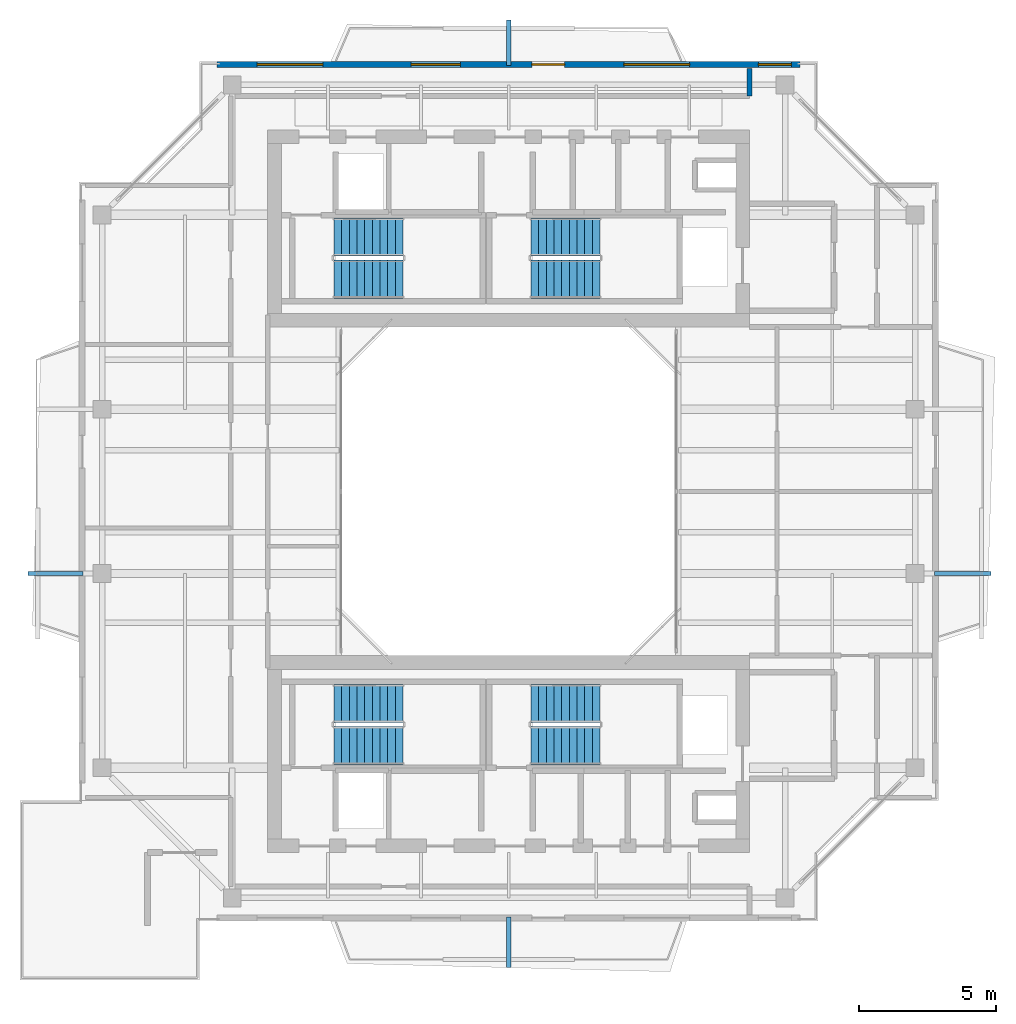
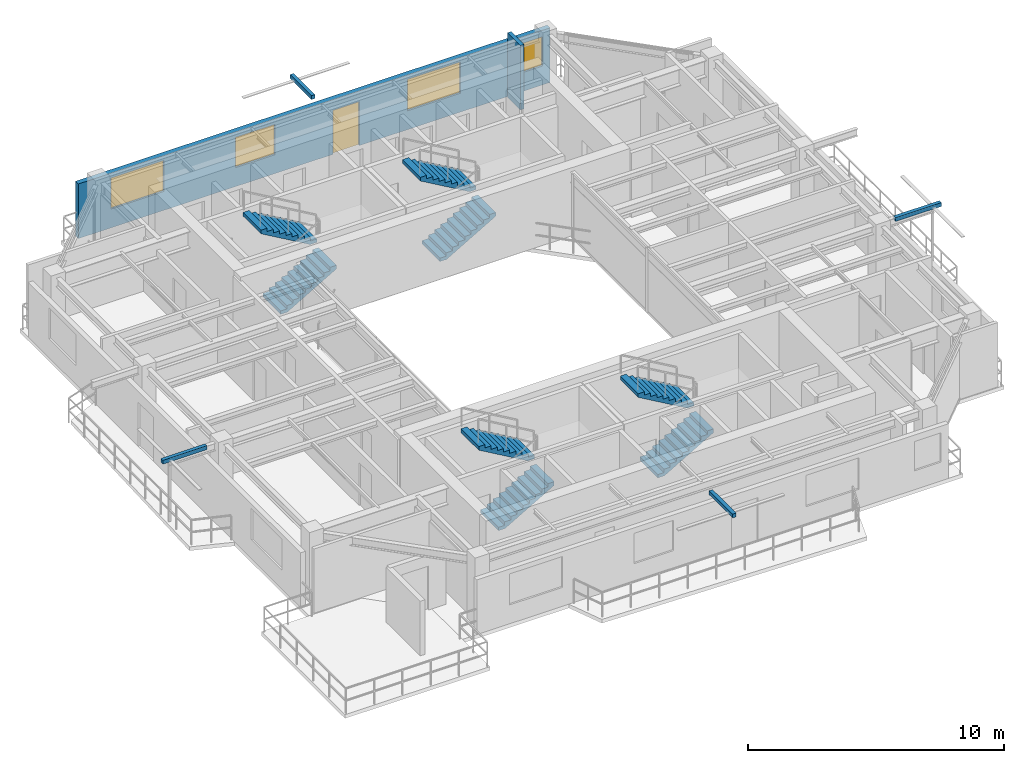
# One storey, part 11 of 14: 8 stair flights, 4 discrete accessories, 4 windows, 2 walls, 1 door, 5 openings, 4 elements without a shape of their own.
"""IFC4 building model written with IfcOpenShell, lengths in metres."""

from ifc_helpers import new_model, si_unit, direction, frame, frame_2d, origin, origin_2d, place, context, subcontext, project, spatial, polyline, rectangle, outline, extrude, source, transform, mapped, material, layer, layer_set, type_object, element, fill, aggregate, save


model = new_model("IFC4")

# Units and contexts
model_context = context("Model", 3, precision=1e-05, world=origin(), true_north=direction((0.0, 1.0)))
body_context = subcontext(model_context, "Body", "Model", "MODEL_VIEW")
ifc_project = project(units=[si_unit("LENGTHUNIT", "METRE"), si_unit("AREAUNIT", "SQUARE_METRE"), si_unit("VOLUMEUNIT", "CUBIC_METRE"), si_unit("PLANEANGLEUNIT", "RADIAN"), si_unit("MASSUNIT", "GRAM", prefix="KILO"), si_unit("THERMODYNAMICTEMPERATUREUNIT", "KELVIN"), si_unit("POWERUNIT", "WATT")], contexts=[model_context])

# Site, building, storey
site_placement = place(None, origin())
site = spatial("IfcSite", under=ifc_project, at=site_placement, CompositionType="ELEMENT")
building_placement = place(site_placement, origin())
building = spatial("IfcBuilding", under=site, at=building_placement, Name="Qiaomeng Ring Towers", CompositionType="ELEMENT")
storey_placement = place(building_placement, frame((0.0, 0.0, 243.75)))
storey = spatial("IfcBuildingStorey", under=building, at=storey_placement, Name="L71", CompositionType="ELEMENT", Elevation=243.75)

# Wall, openings, windows, door
ifc_material_1 = material(Name="Precast concrete C40", Category="concrete")
ifc_layer_1 = layer(ifc_material_1, 0.219970703125, Name="Precast concrete C40")
ifc_layer_set_1 = layer_set([ifc_layer_1], Name="Precast concrete C40")
wall_type_1 = type_object("IfcWallType", Name="ARC-WL-EW2", PredefinedType="STANDARD", material=ifc_layer_set_1)
wall_1_placement = place(storey_placement, frame((8.35009765625, 38.590087890625, 0.0), z_axis=(0.0, 0.0, 1.0), x_axis=(1.0, 0.0, 0.0)))
wall_1 = element("IfcWall", 1, at=wall_1_placement, inside=storey, type_object=wall_type_1, Name="L71 Tower 1 N Exterior Wall", PredefinedType="STANDARD", context=body_context, shape_type="SweptSolid", body=[
    extrude(rectangle(XDim=21.2998046875, YDim=0.219970703125, at=frame_2d((10.64990234375, 0.0))), origin(), (0.0, 0.0, 1.0), 2.610107421875),
])
opening_1_placement = place(wall_1_placement, frame((11.5, 0.0, 0.0)))
opening_1 = element("IfcOpeningElement", 2, at=opening_1_placement, cuts=wall_1, Name="Opening BD1", PredefinedType="OPENING", context=body_context, shape_type="SweptSolid", body=[
    extrude(rectangle(XDim=1.199951171875, YDim=2.10009765625, at=frame_2d((0.60009765625, 1.050048828125))), frame((0.0, 0.119873046875, 0.0), z_axis=(0.0, -1.0, 0.0), x_axis=(1.0, 0.0, 0.0)), (0.0, 0.0, 1.0), 0.239990234375),
])
opening_2_placement = place(wall_1_placement, frame((1.462890625, 0.0, 0.89990234375)))
opening_2 = element("IfcOpeningElement", 3, at=opening_2_placement, cuts=wall_1, Name="Opening WN6", PredefinedType="OPENING", context=body_context, shape_type="SweptSolid", body=[
    extrude(rectangle(XDim=2.39990234375, YDim=1.47998046875, at=frame_2d((1.199951171875, 0.739990234375))), frame((0.0, 0.119873046875, 0.0), z_axis=(0.0, -1.0, 0.0), x_axis=(1.0, 0.0, 0.0)), (0.0, 0.0, 1.0), 0.239990234375),
])
opening_3_placement = place(wall_1_placement, frame((7.087890625, 0.0, 0.89990234375)))
opening_3 = element("IfcOpeningElement", 4, at=opening_3_placement, cuts=wall_1, Name="Opening WN1", PredefinedType="OPENING", context=body_context, shape_type="SweptSolid", body=[
    extrude(rectangle(XDim=1.800048828125, YDim=1.449951171875, at=frame_2d((0.89990234375, 0.72509765625))), frame((0.0, 0.119873046875, 0.0), z_axis=(0.0, -1.0, 0.0), x_axis=(1.0, 0.0, 0.0)), (0.0, 0.0, 1.0), 0.239990234375),
])
opening_4_placement = place(wall_1_placement, frame((19.77490234375, 0.0, 0.89990234375)))
opening_4 = element("IfcOpeningElement", 5, at=opening_4_placement, cuts=wall_1, Name="Opening WN3", PredefinedType="OPENING", context=body_context, shape_type="SweptSolid", body=[
    extrude(rectangle(XDim=1.199951171875, YDim=1.39990234375, at=frame_2d((0.60009765625, 0.699951171875))), frame((0.0, 0.119873046875, 0.0), z_axis=(0.0, -1.0, 0.0), x_axis=(1.0, 0.0, 0.0)), (0.0, 0.0, 1.0), 0.239990234375),
])
opening_5_placement = place(wall_1_placement, frame((14.860107421875, 0.0, 0.89990234375)))
opening_5 = element("IfcOpeningElement", 6, at=opening_5_placement, cuts=wall_1, Name="Opening WN6", PredefinedType="OPENING", context=body_context, shape_type="SweptSolid", body=[
    extrude(rectangle(XDim=2.39990234375, YDim=1.5, at=frame_2d((1.199951171875, 0.75))), frame((0.0, 0.119873046875, 0.0), z_axis=(0.0, -1.0, 0.0), x_axis=(1.0, 0.0, 0.0)), (0.0, 0.0, 1.0), 0.239990234375),
])
ifc_material_2 = material(Name="Low-E dark-grey laminated double glazing", Category="glass")
window_type_1 = type_object("IfcWindowType", Name="ARC-WN-1", PartitioningType="DOUBLE_PANEL_VERTICAL", PredefinedType="WINDOW", material=ifc_material_2)
shared_shape_1 = source(origin(), body_context, "Body", "SweptSolid", [
    extrude(rectangle(XDim=1.800048828125, YDim=1.449951171875, at=frame_2d((0.89990234375, 0.72509765625))), frame((0.0, 0.030029296875, 0.0), z_axis=(0.0, -1.0, 0.0), x_axis=(1.0, 0.0, 0.0)), (0.0, 0.0, 1.0), 0.06005859375),
])
window_1_placement = place(opening_3_placement, origin())
window_1 = element("IfcWindow", 7, at=window_1_placement, inside=storey, type_object=window_type_1, Name="L71 Exterior Window WN1", OverallHeight=1.449951171875, OverallWidth=1.800048828125, PartitioningType="DOUBLE_PANEL_VERTICAL", PredefinedType="WINDOW", context=body_context, shape_type="MappedRepresentation", body=[
    mapped(shared_shape_1, transform((0.0, 0.0, 0.0), x_axis=(1.0, 0.0, 0.0), y_axis=(0.0, 1.0, 0.0), z_axis=(0.0, 0.0, 1.0), scale=1.0)),
])
fill(opening_3, window_1)
window_type_2 = type_object("IfcWindowType", Name="ARC-WN-6", PartitioningType="TRIPLE_PANEL_VERTICAL", PredefinedType="WINDOW", material=ifc_material_2)
shared_shape_2 = source(origin(), body_context, "Body", "SweptSolid", [
    extrude(rectangle(XDim=2.39990234375, YDim=1.47998046875, at=frame_2d((1.199951171875, 0.739990234375))), frame((0.0, 0.030029296875, 0.0), z_axis=(0.0, -1.0, 0.0), x_axis=(1.0, 0.0, 0.0)), (0.0, 0.0, 1.0), 0.06005859375),
])
window_2_placement = place(opening_2_placement, origin())
window_2 = element("IfcWindow", 8, at=window_2_placement, inside=storey, type_object=window_type_2, Name="L71 Exterior Window WN6", OverallHeight=1.47998046875, OverallWidth=2.39990234375, PartitioningType="TRIPLE_PANEL_VERTICAL", PredefinedType="WINDOW", context=body_context, shape_type="MappedRepresentation", body=[
    mapped(shared_shape_2, transform((0.0, 0.0, 0.0), x_axis=(1.0, 0.0, 0.0), y_axis=(0.0, 1.0, 0.0), z_axis=(0.0, 0.0, 1.0), scale=1.0)),
])
fill(opening_2, window_2)
door_type = type_object("IfcDoorType", Name="ARC-DR-BD1", OperationType="NOTDEFINED", PredefinedType="DOOR", material=ifc_material_2)
shared_shape_3 = source(origin(), body_context, "Body", "SweptSolid", [
    extrude(rectangle(XDim=1.199951171875, YDim=2.10009765625, at=frame_2d((0.60009765625, 1.050048828125))), frame((0.0, 0.02490234375, 0.0), z_axis=(0.0, -1.0, 0.0), x_axis=(1.0, 0.0, 0.0)), (0.0, 0.0, 1.0), 0.050048828125),
])
door_placement = place(opening_1_placement, origin())
door = element("IfcDoor", 9, at=door_placement, inside=storey, type_object=door_type, Name="L71 N Balcony Glazed Door", OperationType="SINGLE_SWING_LEFT", OverallHeight=2.10009765625, OverallWidth=1.199951171875, PredefinedType="DOOR", context=body_context, shape_type="MappedRepresentation", body=[
    mapped(shared_shape_3, transform((0.0, 0.0, 0.0), x_axis=(1.0, 0.0, 0.0), y_axis=(0.0, 1.0, 0.0), z_axis=(0.0, 0.0, 1.0), scale=1.0)),
])
fill(opening_1, door)
shared_shape_4 = source(origin(), body_context, "Body", "SweptSolid", [
    extrude(rectangle(XDim=2.39990234375, YDim=1.5, at=frame_2d((1.199951171875, 0.75))), frame((0.0, 0.030029296875, 0.0), z_axis=(0.0, -1.0, 0.0), x_axis=(1.0, 0.0, 0.0)), (0.0, 0.0, 1.0), 0.06005859375),
])
window_3_placement = place(opening_5_placement, origin())
window_3 = element("IfcWindow", 10, at=window_3_placement, inside=storey, type_object=window_type_2, Name="L71 Exterior Window WN6", OverallHeight=1.5, OverallWidth=2.39990234375, PartitioningType="TRIPLE_PANEL_VERTICAL", PredefinedType="WINDOW", context=body_context, shape_type="MappedRepresentation", body=[
    mapped(shared_shape_4, transform((0.0, 0.0, 0.0), x_axis=(1.0, 0.0, 0.0), y_axis=(0.0, 1.0, 0.0), z_axis=(0.0, 0.0, 1.0), scale=1.0)),
])
fill(opening_5, window_3)
window_type_3 = type_object("IfcWindowType", Name="ARC-WN-3", PartitioningType="SINGLE_PANEL", PredefinedType="WINDOW", material=ifc_material_2)
shared_shape_5 = source(origin(), body_context, "Body", "SweptSolid", [
    extrude(rectangle(XDim=1.199951171875, YDim=1.39990234375, at=frame_2d((0.60009765625, 0.699951171875))), frame((0.0, 0.030029296875, 0.0), z_axis=(0.0, -1.0, 0.0), x_axis=(1.0, 0.0, 0.0)), (0.0, 0.0, 1.0), 0.06005859375),
])
window_4_placement = place(opening_4_placement, origin())
window_4 = element("IfcWindow", 11, at=window_4_placement, inside=storey, type_object=window_type_3, Name="L71 Exterior Window WN4", OverallHeight=1.39990234375, OverallWidth=1.199951171875, PartitioningType="TRIPLE_PANEL_VERTICAL", PredefinedType="WINDOW", context=body_context, shape_type="MappedRepresentation", body=[
    mapped(shared_shape_5, transform((0.0, 0.0, 0.0), x_axis=(1.0, 0.0, 0.0), y_axis=(0.0, 1.0, 0.0), z_axis=(0.0, 0.0, 1.0), scale=1.0)),
])
fill(opening_4, window_4)

# Wall
ifc_material_3 = material(Name="Autoclaved aerated concrete block", Category="concrete")
ifc_layer_2 = layer(ifc_material_3, 0.179931640625, Name="Autoclaved aerated concrete block")
ifc_layer_set_2 = layer_set([ifc_layer_2], Name="Autoclaved aerated concrete block")
wall_type_2 = type_object("IfcWallType", Name="ARC-WL-PW2", PredefinedType="PARTITIONING", material=ifc_layer_set_2)
wall_2_placement = place(storey_placement, frame((27.800048828125, 37.43994140625, 0.0), z_axis=(0.0, 0.0, 1.0), x_axis=(0.0, 1.0, 0.0)))
element("IfcWall", 12, at=wall_2_placement, inside=storey, type_object=wall_type_2, Name="L71 Interior Wall PW2", PredefinedType="PARTITIONING", context=body_context, shape_type="SweptSolid", body=[
    extrude(rectangle(XDim=1.010009765625, YDim=0.179931640625, at=frame_2d((0.5048828125, 0.0))), origin(), (0.0, 0.0, 1.0), 3.070068359375),
])

# Stair, stair flights
stair_type = type_object("IfcStairType", Name="ARC-ST-325", PredefinedType="HALF_TURN_STAIR", material=ifc_material_1)
stair_1_placement = place(storey_placement, origin())
stair_1 = element("IfcStair", 13, at=stair_1_placement, inside=storey, type_object=stair_type, Name="L71 Tower 1 North Stair 1", PredefinedType="HALF_TURN_STAIR")
stair_flight_type = type_object("IfcStairFlightType", Name="ARC-ST-325-FL", PredefinedType="STRAIGHT", material=ifc_material_1)
shared_shape_6 = source(origin(), body_context, "Body", "SweptSolid", [
    extrude(outline(polyline([(0.0, 0.0), (0.0, 0.16259765625), (0.280029296875, 0.16259765625), (0.280029296875, 0.324951171875), (0.56005859375, 0.324951171875), (0.56005859375, 0.487548828125), (0.840087890625, 0.487548828125), (0.840087890625, 0.64990234375), (1.1201171875, 0.64990234375), (1.1201171875, 0.8125), (1.39990234375, 0.8125), (1.39990234375, 0.97509765625), (1.679931640625, 0.97509765625), (1.679931640625, 1.137451171875), (1.9599609375, 1.137451171875), (1.9599609375, 1.300048828125), (2.239990234375, 1.300048828125), (2.239990234375, 1.46240234375), (2.52001953125, 1.46240234375), (2.52001953125, 1.625), (2.52001953125, 1.2890625), (0.298583984375, 0.0), (0.0, 0.0)])), frame((0.0, 0.699951171875, 0.0), z_axis=(0.0, -1.0, 0.0), x_axis=(1.0, 0.0, 0.0)), (0.0, 0.0, 1.0), 1.39990234375),
])
stair_flight_1_placement = place(storey_placement, frame((12.6201171875, 30.75, 0.0), z_axis=(0.0, 0.0, 1.0), x_axis=(1.0, 0.0, 0.0)))
stair_flight_1 = element("IfcStairFlight", 14, at=stair_flight_1_placement, type_object=stair_flight_type, Name="ST1 flight 1", NumberOfRisers=10, NumberOfTreads=9, PredefinedType="STRAIGHT", RiserHeight=0.1625, TreadLength=0.28, context=body_context, shape_type="MappedRepresentation", body=[
    mapped(shared_shape_6, transform((0.0, 0.0, 0.0), x_axis=(1.0, 0.0, 0.0), y_axis=(0.0, 1.0, 0.0), z_axis=(0.0, 0.0, 1.0), scale=1.0)),
])
stair_flight_2_placement = place(storey_placement, frame((15.139892578125, 32.2900390625, 1.625), z_axis=(0.0, 0.0, 1.0), x_axis=(-1.0, 0.0, 0.0)))
stair_flight_2 = element("IfcStairFlight", 15, at=stair_flight_2_placement, type_object=stair_flight_type, Name="ST1 flight 2", NumberOfRisers=10, NumberOfTreads=9, PredefinedType="STRAIGHT", RiserHeight=0.1625, TreadLength=0.28, context=body_context, shape_type="MappedRepresentation", body=[
    mapped(shared_shape_6, transform((0.0, 0.0, 0.0), x_axis=(1.0, 0.0, 0.0), y_axis=(0.0, 1.0, 0.0), z_axis=(0.0, 0.0, 1.0), scale=1.0)),
])
aggregate(stair_1, [stair_flight_1, stair_flight_2])

stair_2_placement = place(storey_placement, origin())
stair_2 = element("IfcStair", 16, at=stair_2_placement, inside=storey, type_object=stair_type, Name="L71 Tower 1 North Stair 2", PredefinedType="HALF_TURN_STAIR")
stair_flight_3_placement = place(storey_placement, frame((19.820068359375, 30.75, 0.0), z_axis=(0.0, 0.0, 1.0), x_axis=(1.0, 0.0, 0.0)))
stair_flight_3 = element("IfcStairFlight", 17, at=stair_flight_3_placement, type_object=stair_flight_type, Name="ST2 flight 1", NumberOfRisers=10, NumberOfTreads=9, PredefinedType="STRAIGHT", RiserHeight=0.1625, TreadLength=0.28, context=body_context, shape_type="MappedRepresentation", body=[
    mapped(shared_shape_6, transform((0.0, 0.0, 0.0), x_axis=(1.0, 0.0, 0.0), y_axis=(0.0, 1.0, 0.0), z_axis=(0.0, 0.0, 1.0), scale=1.0)),
])
stair_flight_4_placement = place(storey_placement, frame((22.340087890625, 32.2900390625, 1.625), z_axis=(0.0, 0.0, 1.0), x_axis=(-1.0, 0.0, 0.0)))
stair_flight_4 = element("IfcStairFlight", 18, at=stair_flight_4_placement, type_object=stair_flight_type, Name="ST2 flight 2", NumberOfRisers=10, NumberOfTreads=9, PredefinedType="STRAIGHT", RiserHeight=0.1625, TreadLength=0.28, context=body_context, shape_type="MappedRepresentation", body=[
    mapped(shared_shape_6, transform((0.0, 0.0, 0.0), x_axis=(1.0, 0.0, 0.0), y_axis=(0.0, 1.0, 0.0), z_axis=(0.0, 0.0, 1.0), scale=1.0)),
])
aggregate(stair_2, [stair_flight_3, stair_flight_4])

stair_3_placement = place(storey_placement, origin())
stair_3 = element("IfcStair", 19, at=stair_3_placement, inside=storey, type_object=stair_type, Name="L71 Tower 1 South Stair 3", PredefinedType="HALF_TURN_STAIR")
stair_flight_5_placement = place(storey_placement, frame((12.6201171875, 13.7099609375, 0.0), z_axis=(0.0, 0.0, 1.0), x_axis=(1.0, 0.0, 0.0)))
stair_flight_5 = element("IfcStairFlight", 20, at=stair_flight_5_placement, type_object=stair_flight_type, Name="ST3 flight 1", NumberOfRisers=10, NumberOfTreads=9, PredefinedType="STRAIGHT", RiserHeight=0.1625, TreadLength=0.28, context=body_context, shape_type="MappedRepresentation", body=[
    mapped(shared_shape_6, transform((0.0, 0.0, 0.0), x_axis=(1.0, 0.0, 0.0), y_axis=(0.0, 1.0, 0.0), z_axis=(0.0, 0.0, 1.0), scale=1.0)),
])
stair_flight_6_placement = place(storey_placement, frame((15.139892578125, 15.25, 1.625), z_axis=(0.0, 0.0, 1.0), x_axis=(-1.0, 0.0, 0.0)))
stair_flight_6 = element("IfcStairFlight", 21, at=stair_flight_6_placement, type_object=stair_flight_type, Name="ST3 flight 2", NumberOfRisers=10, NumberOfTreads=9, PredefinedType="STRAIGHT", RiserHeight=0.1625, TreadLength=0.28, context=body_context, shape_type="MappedRepresentation", body=[
    mapped(shared_shape_6, transform((0.0, 0.0, 0.0), x_axis=(1.0, 0.0, 0.0), y_axis=(0.0, 1.0, 0.0), z_axis=(0.0, 0.0, 1.0), scale=1.0)),
])
aggregate(stair_3, [stair_flight_5, stair_flight_6])

stair_4_placement = place(storey_placement, origin())
stair_4 = element("IfcStair", 22, at=stair_4_placement, inside=storey, type_object=stair_type, Name="L71 Tower 1 South Stair 4", PredefinedType="HALF_TURN_STAIR")
stair_flight_7_placement = place(storey_placement, frame((19.820068359375, 13.7099609375, 0.0), z_axis=(0.0, 0.0, 1.0), x_axis=(1.0, 0.0, 0.0)))
stair_flight_7 = element("IfcStairFlight", 23, at=stair_flight_7_placement, type_object=stair_flight_type, Name="ST4 flight 1", NumberOfRisers=10, NumberOfTreads=9, PredefinedType="STRAIGHT", RiserHeight=0.1625, TreadLength=0.28, context=body_context, shape_type="MappedRepresentation", body=[
    mapped(shared_shape_6, transform((0.0, 0.0, 0.0), x_axis=(1.0, 0.0, 0.0), y_axis=(0.0, 1.0, 0.0), z_axis=(0.0, 0.0, 1.0), scale=1.0)),
])
stair_flight_8_placement = place(storey_placement, frame((22.340087890625, 15.25, 1.625), z_axis=(0.0, 0.0, 1.0), x_axis=(-1.0, 0.0, 0.0)))
stair_flight_8 = element("IfcStairFlight", 24, at=stair_flight_8_placement, type_object=stair_flight_type, Name="ST4 flight 2", NumberOfRisers=10, NumberOfTreads=9, PredefinedType="STRAIGHT", RiserHeight=0.1625, TreadLength=0.28, context=body_context, shape_type="MappedRepresentation", body=[
    mapped(shared_shape_6, transform((0.0, 0.0, 0.0), x_axis=(1.0, 0.0, 0.0), y_axis=(0.0, 1.0, 0.0), z_axis=(0.0, 0.0, 1.0), scale=1.0)),
])
aggregate(stair_4, [stair_flight_7, stair_flight_8])

# Discrete accessories
ifc_material_4 = material(Name="Stainless steel 316", Category="steel")
discrete_accessory_type = type_object("IfcDiscreteAccessoryType", Name="ARC-ACC-BRACKET", PredefinedType="BRACKET", material=ifc_material_4)
shared_shape_7 = source(origin(), body_context, "Body", "SweptSolid", [
    extrude(rectangle(XDim=0.159912109375, YDim=1.85009765625, at=origin_2d()), origin(), (0.0, 0.0, 1.0), 0.179931640625),
])
discrete_accessory_1_placement = place(storey_placement, frame((19.0, 6.52490234375, 2.89990234375), z_axis=(0.0, 0.0, 1.0), x_axis=(1.0, 0.0, 0.0)))
element("IfcDiscreteAccessory", 25, at=discrete_accessory_1_placement, inside=storey, type_object=discrete_accessory_type, Name="L71 Stainless Outer-Skin Tie Bracket S", PredefinedType="BRACKET", context=body_context, shape_type="MappedRepresentation", body=[
    mapped(shared_shape_7, transform((0.0, 0.0, 0.0), x_axis=(1.0, 0.0, 0.0), y_axis=(0.0, 1.0, 0.0), z_axis=(0.0, 0.0, 1.0), scale=1.0)),
])
shared_shape_8 = source(origin(), body_context, "Body", "SweptSolid", [
    extrude(rectangle(XDim=0.159912109375, YDim=1.669921875, at=origin_2d()), origin(), (0.0, 0.0, 1.0), 0.179931640625),
])
discrete_accessory_2_placement = place(storey_placement, frame((19.0, 39.385009765625, 2.89990234375), z_axis=(0.0, 0.0, 1.0), x_axis=(1.0, 0.0, 0.0)))
element("IfcDiscreteAccessory", 26, at=discrete_accessory_2_placement, inside=storey, type_object=discrete_accessory_type, Name="L71 Stainless Outer-Skin Tie Bracket N", PredefinedType="BRACKET", context=body_context, shape_type="MappedRepresentation", body=[
    mapped(shared_shape_8, transform((0.0, 0.0, 0.0), x_axis=(1.0, 0.0, 0.0), y_axis=(0.0, 1.0, 0.0), z_axis=(0.0, 0.0, 1.0), scale=1.0)),
])
shared_shape_9 = source(origin(), body_context, "Body", "SweptSolid", [
    extrude(rectangle(XDim=2.0, YDim=0.159912109375, at=origin_2d()), origin(), (0.0, 0.0, 1.0), 0.179931640625),
])
discrete_accessory_3_placement = place(storey_placement, frame((2.449951171875, 20.0, 2.89990234375), z_axis=(0.0, 0.0, 1.0), x_axis=(1.0, 0.0, 0.0)))
element("IfcDiscreteAccessory", 27, at=discrete_accessory_3_placement, inside=storey, type_object=discrete_accessory_type, Name="L71 Stainless Outer-Skin Tie Bracket W", PredefinedType="BRACKET", context=body_context, shape_type="MappedRepresentation", body=[
    mapped(shared_shape_9, transform((0.0, 0.0, 0.0), x_axis=(1.0, 0.0, 0.0), y_axis=(0.0, 1.0, 0.0), z_axis=(0.0, 0.0, 1.0), scale=1.0)),
])
shared_shape_10 = source(origin(), body_context, "Body", "SweptSolid", [
    extrude(rectangle(XDim=2.070068359375, YDim=0.159912109375, at=origin_2d()), origin(), (0.0, 0.0, 1.0), 0.179931640625),
])
discrete_accessory_4_placement = place(storey_placement, frame((35.5849609375, 20.0, 2.89990234375), z_axis=(0.0, 0.0, 1.0), x_axis=(1.0, 0.0, 0.0)))
element("IfcDiscreteAccessory", 28, at=discrete_accessory_4_placement, inside=storey, type_object=discrete_accessory_type, Name="L71 Stainless Outer-Skin Tie Bracket E", PredefinedType="BRACKET", context=body_context, shape_type="MappedRepresentation", body=[
    mapped(shared_shape_10, transform((0.0, 0.0, 0.0), x_axis=(1.0, 0.0, 0.0), y_axis=(0.0, 1.0, 0.0), z_axis=(0.0, 0.0, 1.0), scale=1.0)),
])

save(model, "model.ifc")
